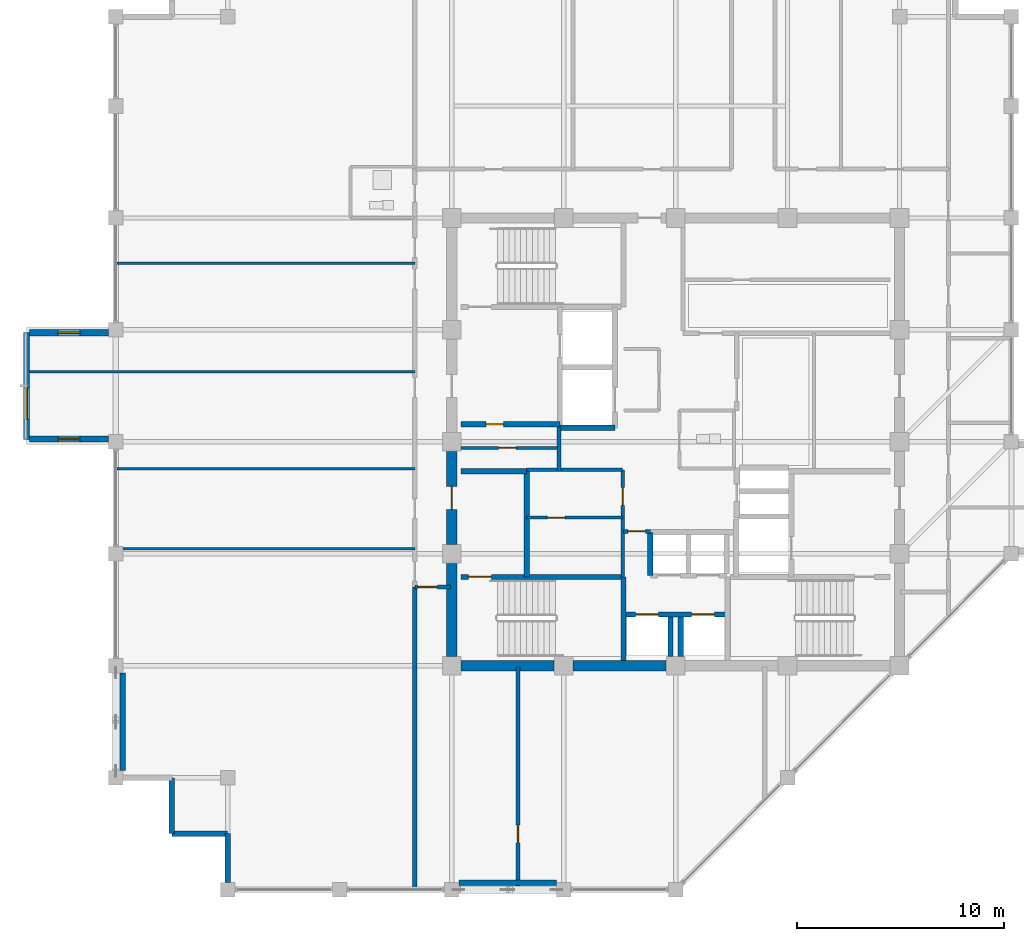
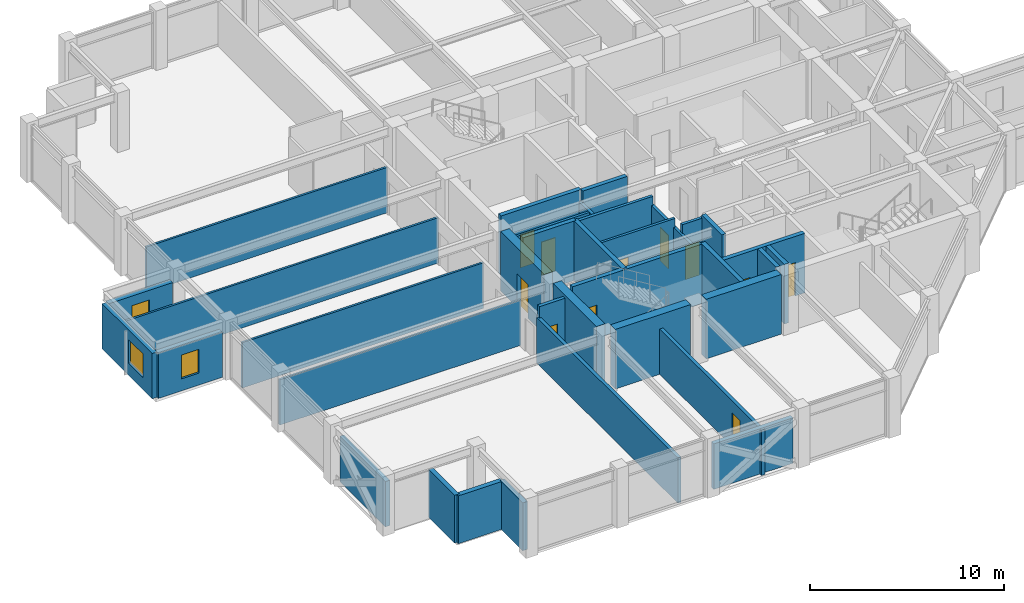
# One storey, part 25 of 31: 35 walls, 11 doors, 3 windows, 14 openings.
"""IFC4 building model written with IfcOpenShell, lengths in metres."""

from ifc_helpers import new_model, si_unit, direction, frame, frame_2d, origin, place, context, subcontext, project, spatial, rectangle, extrude, material, layer, layer_set, type_object, element, fill, save


model = new_model("IFC4")

# Units and contexts
model_context = context("Model", 3, precision=1e-05, world=origin(), true_north=direction((0.0, 1.0)))
body_context = subcontext(model_context, "Body", "Model", "MODEL_VIEW")
ifc_project = project(units=[si_unit("LENGTHUNIT", "METRE"), si_unit("AREAUNIT", "SQUARE_METRE"), si_unit("VOLUMEUNIT", "CUBIC_METRE"), si_unit("PLANEANGLEUNIT", "RADIAN"), si_unit("MASSUNIT", "GRAM", prefix="KILO")], contexts=[model_context])

# Site, building, storey
site_placement = place(None, origin())
site = spatial("IfcSite", under=ifc_project, at=site_placement, CompositionType="ELEMENT")
building_placement = place(site_placement, origin())
building = spatial("IfcBuilding", under=site, at=building_placement, Name="Surkhivell Harbour Commons", CompositionType="ELEMENT")
storey_placement = place(building_placement, frame((0.0, 0.0, 322.5)))
storey = spatial("IfcBuildingStorey", under=building, at=storey_placement, Name="L84", CompositionType="ELEMENT", Elevation=322.5)

# Walls
ifc_material_1 = material(Name="Concrete C50/60", Category="concrete")
ifc_layer_1 = layer(ifc_material_1, 0.5)
ifc_layer_set_1 = layer_set([ifc_layer_1], Name="Concrete C50/60")
wall_type_1 = type_object("IfcWallType", Name="WAL-CORE-500", PredefinedType="SHEAR", material=ifc_layer_set_1)
for number, where, z_axis, x_axis, name in (
    (1, (-10.340087890625, -10.800048828125, 0.0), (0.0, 0.0, 1.0), (1.0, 0.0, 0.0), "L84 Core Shear Wall South 1"),
    (2, (-10.800048828125, -10.340087890625, 0.0), (0.0, 0.0, 1.0), (0.0, 1.0, 0.0), "L84 Core Shear Wall West 1"),
    (3, (-4.93994140625, -10.800048828125, 0.0), (0.0, 0.0, 1.0), (1.0, 0.0, 0.0), "L84 Core Shear Wall South 2"),
):
    element("IfcWall", number, at=place(storey_placement, frame(where, z_axis=z_axis, x_axis=x_axis)), inside=storey, type_object=wall_type_1, Name=name, PredefinedType="SHEAR", context=body_context, shape_type="SweptSolid", body=[
        extrude(rectangle(XDim=4.47998046875, YDim=0.5, at=frame_2d((2.239990234375, 0.0))), origin(), (0.0, 0.0, 1.0), 3.75),
    ])

# Wall, opening, door
wall_1_placement = place(storey_placement, frame((-10.800048828125, -4.93994140625, 0.0), z_axis=(0.0, 0.0, 1.0), x_axis=(0.0, 1.0, 0.0)))
wall_1 = element("IfcWall", 4, at=wall_1_placement, inside=storey, type_object=wall_type_1, Name="L84 Core Shear Wall West 2", PredefinedType="SHEAR", context=body_context, shape_type="SweptSolid", body=[
    extrude(rectangle(XDim=4.47998046875, YDim=0.5, at=frame_2d((2.239990234375, 0.0))), origin(), (0.0, 0.0, 1.0), 3.75),
])
opening_1_placement = place(wall_1_placement, frame((1.68994140625, 0.0, 0.0)))
opening_1 = element("IfcOpeningElement", 5, at=opening_1_placement, cuts=wall_1, Name="Opening ID-2", PredefinedType="OPENING", context=body_context, shape_type="SweptSolid", body=[
    extrude(rectangle(XDim=1.10009765625, YDim=2.10009765625, at=frame_2d((0.550048828125, 1.050048828125))), frame((0.0, 0.260009765625, 0.0), z_axis=(0.0, -1.0, 0.0), x_axis=(1.0, 0.0, 0.0)), (0.0, 0.0, 1.0), 0.52001953125),
])
ifc_material_2 = material(Name="Hardwood-veneered fire-rated door leaf", Category="wood")
door_type_1 = type_object("IfcDoorType", Name="DOR-FD60-1100", OperationType="NOTDEFINED", PredefinedType="DOOR", material=ifc_material_2)
door_1_placement = place(opening_1_placement, origin())
door_1 = element("IfcDoor", 6, at=door_1_placement, inside=storey, type_object=door_type_1, Name="L84 Stair 3 Lobby Corridor Door", OperationType="SINGLE_SWING_LEFT", OverallHeight=2.10009765625, OverallWidth=1.10009765625, PredefinedType="DOOR", context=body_context, shape_type="SweptSolid", body=[
    extrude(rectangle(XDim=1.10009765625, YDim=2.10009765625, at=frame_2d((0.550048828125, 1.050048828125))), frame((0.0, 0.02490234375, 0.0), z_axis=(0.0, -1.0, 0.0), x_axis=(1.0, 0.0, 0.0)), (0.0, 0.0, 1.0), 0.050048828125),
])
fill(opening_1, door_1)

# Wall, opening, window
ifc_material_3 = material(Name="Flemish-bond kiln brick and precast concrete C45/55", Category="masonry")
ifc_layer_2 = layer(ifc_material_3, 0.300048828125)
ifc_layer_set_2 = layer_set([ifc_layer_2], Name="Flemish-bond kiln brick and precast concrete C45/55")
wall_type_2 = type_object("IfcWallType", Name="WAL-EXT-BRK300", PredefinedType="STANDARD", material=ifc_layer_set_2)
wall_2_placement = place(storey_placement, frame((-31.300048828125, 5.280029296875, 0.0), z_axis=(0.0, 0.0, 1.0), x_axis=(0.0, -1.0, 0.0)))
wall_2 = element("IfcWall", 7, at=wall_2_placement, inside=storey, type_object=wall_type_2, Name="L84 Coloured Box Front Wall 02", PredefinedType="STANDARD", context=body_context, shape_type="SweptSolid", body=[
    extrude(rectangle(XDim=5.159912109375, YDim=0.300048828125, at=frame_2d((2.580078125, 0.0))), origin(), (0.0, 0.0, 1.0), 2.85693359375),
])
opening_2_placement = place(wall_2_placement, frame((2.68994140625, 0.0, 0.75)))
opening_2 = element("IfcOpeningElement", 8, at=opening_2_placement, cuts=wall_2, Name="Opening WN-13", PredefinedType="OPENING", context=body_context, shape_type="SweptSolid", body=[
    extrude(rectangle(XDim=1.5, YDim=1.5, at=frame_2d((0.75, 0.75))), frame((0.0, 0.159912109375, 0.0), z_axis=(0.0, -1.0, 0.0), x_axis=(1.0, 0.0, 0.0)), (0.0, 0.0, 1.0), 0.320068359375),
])
ifc_material_4 = material(Name="Thermal-break aluminium frame and double low-E glazing", Category="aluminium")
window_type_1 = type_object("IfcWindowType", Name="WIN-BOX-1500x1500", PartitioningType="SINGLE_PANEL", PredefinedType="WINDOW", material=ifc_material_4)
window_1_placement = place(opening_2_placement, origin())
window_1 = element("IfcWindow", 9, at=window_1_placement, inside=storey, type_object=window_type_1, Name="L84 Coloured Box Square Window 02-1", OverallHeight=1.5, OverallWidth=1.5, PartitioningType="SINGLE_PANEL", PredefinedType="WINDOW", context=body_context, shape_type="SweptSolid", body=[
    extrude(rectangle(XDim=1.5, YDim=1.5, at=frame_2d((0.75, 0.75))), frame((0.0, 0.030029296875, 0.0), z_axis=(0.0, -1.0, 0.0), x_axis=(1.0, 0.0, 0.0)), (0.0, 0.0, 1.0), 0.06005859375),
])
fill(opening_2, window_1)

wall_3_placement = place(storey_placement, frame((-31.159912109375, 0.139892578125, 0.0), z_axis=(0.0, 0.0, 1.0), x_axis=(1.0, 0.0, 0.0)))
wall_3 = element("IfcWall", 10, at=wall_3_placement, inside=storey, type_object=wall_type_2, Name="L84 Coloured Box Return Wall 02S", PredefinedType="STANDARD", context=body_context, shape_type="SweptSolid", body=[
    extrude(rectangle(XDim=3.805908203125, YDim=0.300048828125, at=frame_2d((1.90283203125, 0.0))), origin(), (0.0, 0.0, 1.0), 2.85693359375),
])
opening_3_placement = place(wall_3_placement, frame((1.3779296875, 0.0, 0.75)))
opening_3 = element("IfcOpeningElement", 11, at=opening_3_placement, cuts=wall_3, Name="Opening WN-11", PredefinedType="OPENING", context=body_context, shape_type="SweptSolid", body=[
    extrude(rectangle(XDim=1.050048828125, YDim=1.5, at=frame_2d((0.52490234375, 0.75))), frame((0.0, 0.159912109375, 0.0), z_axis=(0.0, -1.0, 0.0), x_axis=(1.0, 0.0, 0.0)), (0.0, 0.0, 1.0), 0.320068359375),
])
window_type_2 = type_object("IfcWindowType", Name="WIN-SER-1050x1500", PartitioningType="SINGLE_PANEL", PredefinedType="WINDOW", material=ifc_material_4)
window_2_placement = place(opening_3_placement, origin())
window_2 = element("IfcWindow", 12, at=window_2_placement, inside=storey, type_object=window_type_2, Name="L84 Coloured Box Return Window 02S", OverallHeight=1.5, OverallWidth=1.050048828125, PartitioningType="SINGLE_PANEL", PredefinedType="WINDOW", context=body_context, shape_type="SweptSolid", body=[
    extrude(rectangle(XDim=1.050048828125, YDim=1.5, at=frame_2d((0.52490234375, 0.75))), frame((0.0, 0.030029296875, 0.0), z_axis=(0.0, -1.0, 0.0), x_axis=(1.0, 0.0, 0.0)), (0.0, 0.0, 1.0), 0.06005859375),
])
fill(opening_3, window_2)

wall_4_placement = place(storey_placement, frame((-31.159912109375, 5.260009765625, 0.0), z_axis=(0.0, 0.0, 1.0), x_axis=(1.0, 0.0, 0.0)))
wall_4 = element("IfcWall", 13, at=wall_4_placement, inside=storey, type_object=wall_type_2, Name="L84 Coloured Box Return Wall 02N", PredefinedType="STANDARD", context=body_context, shape_type="SweptSolid", body=[
    extrude(rectangle(XDim=3.805908203125, YDim=0.300048828125, at=frame_2d((1.90283203125, 0.0))), origin(), (0.0, 0.0, 1.0), 2.85693359375),
])
opening_4_placement = place(wall_4_placement, frame((1.3779296875, 0.0, 0.75)))
opening_4 = element("IfcOpeningElement", 14, at=opening_4_placement, cuts=wall_4, Name="Opening WN-11", PredefinedType="OPENING", context=body_context, shape_type="SweptSolid", body=[
    extrude(rectangle(XDim=1.050048828125, YDim=1.5, at=frame_2d((0.52490234375, 0.75))), frame((0.0, 0.159912109375, 0.0), z_axis=(0.0, -1.0, 0.0), x_axis=(1.0, 0.0, 0.0)), (0.0, 0.0, 1.0), 0.320068359375),
])
window_3_placement = place(opening_4_placement, origin())
window_3 = element("IfcWindow", 15, at=window_3_placement, inside=storey, type_object=window_type_2, Name="L84 Coloured Box Return Window 02N", OverallHeight=1.5, OverallWidth=1.050048828125, PartitioningType="SINGLE_PANEL", PredefinedType="WINDOW", context=body_context, shape_type="SweptSolid", body=[
    extrude(rectangle(XDim=1.050048828125, YDim=1.5, at=frame_2d((0.52490234375, 0.75))), frame((0.0, 0.030029296875, 0.0), z_axis=(0.0, -1.0, 0.0), x_axis=(1.0, 0.0, 0.0)), (0.0, 0.0, 1.0), 0.06005859375),
])
fill(opening_4, window_3)

# Walls
ifc_material_5 = material(Name="Pale-metal insulated precast concrete C45/55", Category="concrete")
ifc_layer_3 = layer(ifc_material_5, 0.260009765625)
ifc_layer_set_3 = layer_set([ifc_layer_3], Name="Pale-metal insulated precast concrete C45/55")
wall_type_3 = type_object("IfcWallType", Name="WAL-EXT-MTL260", PredefinedType="STANDARD", material=ifc_layer_set_3)
wall_5_placement = place(storey_placement, frame((-10.451904296875, -21.264892578125, 0.0), z_axis=(0.0, 0.0, 1.0), x_axis=(1.0, 0.0, 0.0)))
element("IfcWall", 16, at=wall_5_placement, inside=storey, type_object=wall_type_3, Name="L84 Braced-Bay Insulated Spandrel Backing S", PredefinedType="STANDARD", context=body_context, shape_type="SweptSolid", body=[
    extrude(rectangle(XDim=4.703857421875, YDim=0.260009765625, at=frame_2d((2.35205078125, 0.0))), origin(), (0.0, 0.0, 1.0), 2.85693359375),
])
wall_6_placement = place(storey_placement, frame((-26.6650390625, -15.85205078125, 0.0), z_axis=(0.0, 0.0, 1.0), x_axis=(0.0, 1.0, 0.0)))
element("IfcWall", 17, at=wall_6_placement, inside=storey, type_object=wall_type_3, Name="L84 Braced-Bay Insulated Spandrel Backing W", PredefinedType="STANDARD", context=body_context, shape_type="SweptSolid", body=[
    extrude(rectangle(XDim=4.7041015625, YDim=0.260009765625, at=frame_2d((2.35205078125, 0.0))), origin(), (0.0, 0.0, 1.0), 2.85693359375),
])
ifc_material_6 = material(Name="Terracotta-clad reinforced concrete C45/55", Category="masonry")
ifc_layer_4 = layer(ifc_material_6, 0.280029296875)
ifc_layer_set_4 = layer_set([ifc_layer_4], Name="Terracotta-clad reinforced concrete C45/55")
wall_type_4 = type_object("IfcWallType", Name="WAL-EXT-TER280", PredefinedType="STANDARD", material=ifc_layer_set_4)
for number, where, z_axis, x_axis, name in (
    (18, (-24.300048828125, -16.199951171875, 0.0), (0.0, 0.0, 1.0), (0.0, -1.0, 0.0), "L84 Serrated Corner Facade Wall 14"),
    (19, (-24.300048828125, -18.89990234375, 0.0), (0.0, 0.0, 1.0), (1.0, 0.0, 0.0), "L84 Serrated Corner Facade Wall 15"),
):
    element("IfcWall", number, at=place(storey_placement, frame(where, z_axis=z_axis, x_axis=x_axis)), inside=storey, type_object=wall_type_4, Name=name, PredefinedType="STANDARD", context=body_context, shape_type="SweptSolid", body=[
        extrude(rectangle(XDim=2.699951171875, YDim=0.280029296875, at=frame_2d((1.35009765625, 0.0))), origin(), (0.0, 0.0, 1.0), 3.012939453125),
    ])
wall_7_placement = place(storey_placement, frame((-21.60009765625, -18.89990234375, 0.0), z_axis=(0.0, 0.0, 1.0), x_axis=(0.0, -1.0, 0.0)))
element("IfcWall", 20, at=wall_7_placement, inside=storey, type_object=wall_type_4, Name="L84 Serrated Corner Facade Wall 16", PredefinedType="STANDARD", context=body_context, shape_type="SweptSolid", body=[
    extrude(rectangle(XDim=2.35205078125, YDim=0.280029296875, at=frame_2d((1.176025390625, 0.0))), origin(), (0.0, 0.0, 1.0), 3.012939453125),
])
ifc_material_7 = material(Name="Moisture-resistant acoustic stud partition", Category="other")
ifc_layer_5 = layer(ifc_material_7, 0.125)
ifc_layer_set_5 = layer_set([ifc_layer_5], Name="Moisture-resistant acoustic stud partition")
wall_type_5 = type_object("IfcWallType", Name="WAL-INT-125", PredefinedType="PARTITIONING", material=ifc_layer_set_5)
wall_8_placement = place(storey_placement, frame((-26.93994140625, -1.300048828125, 0.0), z_axis=(0.0, 0.0, 1.0), x_axis=(1.0, 0.0, 0.0)))
element("IfcWall", 21, at=wall_8_placement, inside=storey, type_object=wall_type_5, Name="L84 West Partition BDP1", PredefinedType="PARTITIONING", context=body_context, shape_type="SweptSolid", body=[
    extrude(rectangle(XDim=14.35986328125, YDim=0.125, at=frame_2d((7.179931640625, 0.0))), origin(), (0.0, 0.0, 1.0), 2.85693359375),
])
wall_9_placement = place(storey_placement, frame((-31.239990234375, 3.3798828125, 0.0), z_axis=(0.0, 0.0, 1.0), x_axis=(1.0, 0.0, 0.0)))
element("IfcWall", 22, at=wall_9_placement, inside=storey, type_object=wall_type_5, Name="L84 West Partition BDP2", PredefinedType="PARTITIONING", context=body_context, shape_type="SweptSolid", body=[
    extrude(rectangle(XDim=18.659912109375, YDim=0.125, at=frame_2d((9.330078125, 0.0))), origin(), (0.0, 0.0, 1.0), 2.85693359375),
])
for number, where, z_axis, x_axis, name in (
    (23, (-26.93994140625, -5.14990234375, 0.0), (0.0, 0.0, 1.0), (1.0, 0.0, 0.0), "L84 West Partition PBOT"),
    (24, (-26.93994140625, 8.610107421875, 0.0), (0.0, 0.0, 1.0), (1.0, 0.0, 0.0), "L84 West Partition PTOP"),
):
    element("IfcWall", number, at=place(storey_placement, frame(where, z_axis=z_axis, x_axis=x_axis)), inside=storey, type_object=wall_type_5, Name=name, PredefinedType="PARTITIONING", context=body_context, shape_type="SweptSolid", body=[
        extrude(rectangle(XDim=14.35986328125, YDim=0.125, at=frame_2d((7.179931640625, 0.0))), origin(), (0.0, 0.0, 1.0), 2.85693359375),
    ])

# Wall, opening, door
ifc_material_8 = material(Name="Twin-stud acoustic fireboard partition", Category="other")
ifc_layer_6 = layer(ifc_material_8, 0.14990234375)
ifc_layer_set_6 = layer_set([ifc_layer_6], Name="Twin-stud acoustic fireboard partition")
wall_type_6 = type_object("IfcWallType", Name="WAL-INT-150", PredefinedType="PARTITIONING", material=ifc_layer_set_6)
wall_10_placement = place(storey_placement, frame((-7.179931640625, -3.64990234375, 0.0), z_axis=(0.0, 0.0, 1.0), x_axis=(1.0, 0.0, 0.0)))
wall_10 = element("IfcWall", 25, at=wall_10_placement, inside=storey, type_object=wall_type_6, Name="L84 Core Cut C1 Partition", PredefinedType="PARTITIONING", context=body_context, shape_type="SweptSolid", body=[
    extrude(rectangle(XDim=4.6298828125, YDim=0.14990234375, at=frame_2d((2.31494140625, 0.0))), origin(), (0.0, 0.0, 1.0), 3.570068359375),
])
opening_5_placement = place(wall_10_placement, frame((1.0, 0.0, 0.0)))
opening_5 = element("IfcOpeningElement", 26, at=opening_5_placement, cuts=wall_10, Name="Opening ID-6", PredefinedType="OPENING", context=body_context, shape_type="SweptSolid", body=[
    extrude(rectangle(XDim=0.85009765625, YDim=2.10009765625, at=frame_2d((0.425048828125, 1.050048828125))), frame((0.0, 0.0849609375, 0.0), z_axis=(0.0, -1.0, 0.0), x_axis=(1.0, 0.0, 0.0)), (0.0, 0.0, 1.0), 0.169921875),
])
door_type_2 = type_object("IfcDoorType", Name="DOR-FD30-850", OperationType="NOTDEFINED", PredefinedType="DOOR", material=ifc_material_2)
door_2_placement = place(opening_5_placement, origin())
door_2 = element("IfcDoor", 27, at=door_2_placement, inside=storey, type_object=door_type_2, Name="L84 Cleaner Room Door", OperationType="SINGLE_SWING_LEFT", OverallHeight=2.10009765625, OverallWidth=0.85009765625, PredefinedType="DOOR", context=body_context, shape_type="SweptSolid", body=[
    extrude(rectangle(XDim=0.85009765625, YDim=2.10009765625, at=frame_2d((0.425048828125, 1.050048828125))), frame((0.0, 0.02490234375, 0.0), z_axis=(0.0, -1.0, 0.0), x_axis=(1.0, 0.0, 0.0)), (0.0, 0.0, 1.0), 0.050048828125),
])
fill(opening_5, door_2)

wall_11_placement = place(storey_placement, frame((-10.340087890625, -0.2900390625, 0.0), z_axis=(0.0, 0.0, 1.0), x_axis=(1.0, 0.0, 0.0)))
wall_11 = element("IfcWall", 28, at=wall_11_placement, inside=storey, type_object=wall_type_6, Name="L84 West Core Horizontal Cut", PredefinedType="PARTITIONING", context=body_context, shape_type="SweptSolid", body=[
    extrude(rectangle(XDim=4.719970703125, YDim=0.14990234375, at=frame_2d((2.35986328125, 0.0))), origin(), (0.0, 0.0, 1.0), 3.012939453125),
])
opening_6_placement = place(wall_11_placement, frame((1.800048828125, 0.0, 0.0)))
opening_6 = element("IfcOpeningElement", 29, at=opening_6_placement, cuts=wall_11, Name="Opening ID-6", PredefinedType="OPENING", context=body_context, shape_type="SweptSolid", body=[
    extrude(rectangle(XDim=0.85009765625, YDim=2.10009765625, at=frame_2d((0.425048828125, 1.050048828125))), frame((0.0, 0.0849609375, 0.0), z_axis=(0.0, -1.0, 0.0), x_axis=(1.0, 0.0, 0.0)), (0.0, 0.0, 1.0), 0.169921875),
])
door_3_placement = place(opening_6_placement, origin())
door_3 = element("IfcDoor", 30, at=door_3_placement, inside=storey, type_object=door_type_2, Name="L84 West Music Pod Door", OperationType="SINGLE_SWING_RIGHT", OverallHeight=2.10009765625, OverallWidth=0.85009765625, PredefinedType="DOOR", context=body_context, shape_type="SweptSolid", body=[
    extrude(rectangle(XDim=0.85009765625, YDim=2.10009765625, at=frame_2d((0.425048828125, 1.050048828125))), frame((0.0, 0.02490234375, 0.0), z_axis=(0.0, -1.0, 0.0), x_axis=(1.0, 0.0, 0.0)), (0.0, 0.0, 1.0), 0.050048828125),
])
fill(opening_6, door_3)

ifc_material_9 = material(Name="High-density acoustic blockwork fire partition", Category="masonry")
ifc_layer_7 = layer(ifc_material_9, 0.175048828125)
ifc_layer_set_7 = layer_set([ifc_layer_7], Name="High-density acoustic blockwork fire partition")
wall_type_7 = type_object("IfcWallType", Name="WAL-INT-175", PredefinedType="PARTITIONING", material=ifc_layer_set_7)
wall_12_placement = place(storey_placement, frame((-2.550048828125, -6.510009765625, 0.0), z_axis=(0.0, 0.0, 1.0), x_axis=(0.0, 1.0, 0.0)))
wall_12 = element("IfcWall", 31, at=wall_12_placement, inside=storey, type_object=wall_type_7, Name="L84 Core Service Bay East Wall", PredefinedType="PARTITIONING", context=body_context, shape_type="SweptSolid", body=[
    extrude(rectangle(XDim=5.159912109375, YDim=0.175048828125, at=frame_2d((2.580078125, 0.0))), origin(), (0.0, 0.0, 1.0), 3.012939453125),
])
opening_7_placement = place(wall_12_placement, frame((3.449951171875, 0.0, 0.0)))
opening_7 = element("IfcOpeningElement", 32, at=opening_7_placement, cuts=wall_12, Name="Opening ID-6", PredefinedType="OPENING", context=body_context, shape_type="SweptSolid", body=[
    extrude(rectangle(XDim=0.85009765625, YDim=2.10009765625, at=frame_2d((0.425048828125, 1.050048828125))), frame((0.0, 0.097412109375, 0.0), z_axis=(0.0, -1.0, 0.0), x_axis=(1.0, 0.0, 0.0)), (0.0, 0.0, 1.0), 0.195068359375),
])
door_4_placement = place(opening_7_placement, origin())
door_4 = element("IfcDoor", 33, at=door_4_placement, inside=storey, type_object=door_type_2, Name="L84 Core Seminar Door", OperationType="SINGLE_SWING_LEFT", OverallHeight=2.10009765625, OverallWidth=0.85009765625, PredefinedType="DOOR", context=body_context, shape_type="SweptSolid", body=[
    extrude(rectangle(XDim=0.85009765625, YDim=2.10009765625, at=frame_2d((0.425048828125, 1.050048828125))), frame((0.0, 0.02490234375, 0.0), z_axis=(0.0, -1.0, 0.0), x_axis=(1.0, 0.0, 0.0)), (0.0, 0.0, 1.0), 0.050048828125),
])
fill(opening_7, door_4)

# Walls
wall_13_placement = place(storey_placement, frame((-7.179931640625, -1.35009765625, 0.0), z_axis=(0.0, 0.0, 1.0), x_axis=(1.0, 0.0, 0.0)))
element("IfcWall", 34, at=wall_13_placement, inside=storey, type_object=wall_type_7, Name="L84 Core Service Bay North Wall", PredefinedType="PARTITIONING", context=body_context, shape_type="SweptSolid", body=[
    extrude(rectangle(XDim=4.6298828125, YDim=0.175048828125, at=frame_2d((2.31494140625, 0.0))), origin(), (0.0, 0.0, 1.0), 3.570068359375),
])
wall_14_placement = place(storey_placement, frame((-5.6201171875, -1.419921875, 0.0), z_axis=(0.0, 0.0, 1.0), x_axis=(0.0, 1.0, 0.0)))
element("IfcWall", 35, at=wall_14_placement, inside=storey, type_object=wall_type_7, Name="L84 West Core Bay East Wall", PredefinedType="PARTITIONING", context=body_context, shape_type="SweptSolid", body=[
    extrude(rectangle(XDim=2.139892578125, YDim=0.175048828125, at=frame_2d((1.06982421875, 0.0))), origin(), (0.0, 0.0, 1.0), 3.012939453125),
])

# Wall, opening, door
wall_15_placement = place(storey_placement, frame((-2.52001953125, -4.320068359375, 0.0), z_axis=(0.0, 0.0, 1.0), x_axis=(1.0, 0.0, 0.0)))
wall_15 = element("IfcWall", 36, at=wall_15_placement, inside=storey, type_object=wall_type_7, Name="L84 High-Rise Lobby North Portal Wall", PredefinedType="PARTITIONING", context=body_context, shape_type="SweptSolid", body=[
    extrude(rectangle(XDim=1.300048828125, YDim=0.175048828125, at=frame_2d((0.64990234375, 0.0))), origin(), (0.0, 0.0, 1.0), 3.570068359375),
])
opening_8_placement = place(wall_15_placement, frame((0.219970703125, 0.0, 0.0)))
opening_8 = element("IfcOpeningElement", 37, at=opening_8_placement, cuts=wall_15, Name="Opening ID-6", PredefinedType="OPENING", context=body_context, shape_type="SweptSolid", body=[
    extrude(rectangle(XDim=0.85009765625, YDim=2.10009765625, at=frame_2d((0.425048828125, 1.050048828125))), frame((0.0, 0.097412109375, 0.0), z_axis=(0.0, -1.0, 0.0), x_axis=(1.0, 0.0, 0.0)), (0.0, 0.0, 1.0), 0.195068359375),
])
door_5_placement = place(opening_8_placement, origin())
door_5 = element("IfcDoor", 38, at=door_5_placement, inside=storey, type_object=door_type_2, Name="L84 High-Rise Lift Lobby North Door", OperationType="SINGLE_SWING_LEFT", OverallHeight=2.10009765625, OverallWidth=0.85009765625, PredefinedType="DOOR", context=body_context, shape_type="SweptSolid", body=[
    extrude(rectangle(XDim=0.85009765625, YDim=2.10009765625, at=frame_2d((0.425048828125, 1.050048828125))), frame((0.0, 0.02490234375, 0.0), z_axis=(0.0, -1.0, 0.0), x_axis=(1.0, 0.0, 0.0)), (0.0, 0.0, 1.0), 0.050048828125),
])
fill(opening_8, door_5)

ifc_material_10 = material(Name="Autoclaved aerated concrete blockwork and fire plaster", Category="masonry")
ifc_layer_8 = layer(ifc_material_10, 0.199951171875)
ifc_layer_set_8 = layer_set([ifc_layer_8], Name="Autoclaved aerated concrete blockwork and fire plaster")
wall_type_8 = type_object("IfcWallType", Name="WAL-INT-200", PredefinedType="PARTITIONING", material=ifc_layer_set_8)
wall_16_placement = place(storey_placement, frame((-7.60009765625, -21.5400390625, 0.0), z_axis=(0.0, 0.0, 1.0), x_axis=(0.0, 1.0, 0.0)))
wall_16 = element("IfcWall", 39, at=wall_16_placement, inside=storey, type_object=wall_type_8, Name="L84 South Wing Mid Partition", PredefinedType="PARTITIONING", context=body_context, shape_type="SweptSolid", body=[
    extrude(rectangle(XDim=10.68994140625, YDim=0.199951171875, at=frame_2d((5.344970703125, 0.0))), origin(), (0.0, 0.0, 1.0), 2.85693359375),
])
opening_9_placement = place(wall_16_placement, frame((2.199951171875, 0.0, 0.0)))
opening_9 = element("IfcOpeningElement", 40, at=opening_9_placement, cuts=wall_16, Name="Opening ID-6", PredefinedType="OPENING", context=body_context, shape_type="SweptSolid", body=[
    extrude(rectangle(XDim=0.85009765625, YDim=2.10009765625, at=frame_2d((0.425048828125, 1.050048828125))), frame((0.0, 0.10986328125, 0.0), z_axis=(0.0, -1.0, 0.0), x_axis=(1.0, 0.0, 0.0)), (0.0, 0.0, 1.0), 0.219970703125),
])
door_6_placement = place(opening_9_placement, origin())
door_6 = element("IfcDoor", 41, at=door_6_placement, inside=storey, type_object=door_type_2, Name="L84 South Seminar Door", OperationType="SINGLE_SWING_RIGHT", OverallHeight=2.10009765625, OverallWidth=0.85009765625, PredefinedType="DOOR", context=body_context, shape_type="SweptSolid", body=[
    extrude(rectangle(XDim=0.85009765625, YDim=2.10009765625, at=frame_2d((0.425048828125, 1.050048828125))), frame((0.0, 0.02490234375, 0.0), z_axis=(0.0, -1.0, 0.0), x_axis=(1.0, 0.0, 0.0)), (0.0, 0.0, 1.0), 0.050048828125),
])
fill(opening_9, door_6)

# Wall
wall_17_placement = place(storey_placement, frame((-12.580078125, -21.5400390625, 0.0), z_axis=(0.0, 0.0, 1.0), x_axis=(0.0, 1.0, 0.0)))
element("IfcWall", 42, at=wall_17_placement, inside=storey, type_object=wall_type_8, Name="L84 South Hall West Divider", PredefinedType="PARTITIONING", context=body_context, shape_type="SweptSolid", body=[
    extrude(rectangle(XDim=14.5400390625, YDim=0.199951171875, at=frame_2d((7.27001953125, 0.0))), origin(), (0.0, 0.0, 1.0), 2.85693359375),
])

# Wall, opening, door
wall_18_placement = place(storey_placement, frame((-12.580078125, -7.0, 0.0), z_axis=(0.0, 0.0, 1.0), x_axis=(1.0, 0.0, 0.0)))
wall_18 = element("IfcWall", 43, at=wall_18_placement, inside=storey, type_object=wall_type_8, Name="L84 West Corridor South Portal Wall", PredefinedType="PARTITIONING", context=body_context, shape_type="SweptSolid", body=[
    extrude(rectangle(XDim=1.72998046875, YDim=0.199951171875, at=frame_2d((0.864990234375, 0.0))), origin(), (0.0, 0.0, 1.0), 3.570068359375),
])
opening_10_placement = place(wall_18_placement, frame((0.139892578125, 0.0, 0.0)))
opening_10 = element("IfcOpeningElement", 44, at=opening_10_placement, cuts=wall_18, Name="Opening ID-4", PredefinedType="OPENING", context=body_context, shape_type="SweptSolid", body=[
    extrude(rectangle(XDim=0.949951171875, YDim=2.10009765625, at=frame_2d((0.47509765625, 1.050048828125))), frame((0.0, 0.10986328125, 0.0), z_axis=(0.0, -1.0, 0.0), x_axis=(1.0, 0.0, 0.0)), (0.0, 0.0, 1.0), 0.219970703125),
])
door_type_3 = type_object("IfcDoorType", Name="DOR-FD60-950", OperationType="NOTDEFINED", PredefinedType="DOOR", material=ifc_material_2)
door_7_placement = place(opening_10_placement, origin())
door_7 = element("IfcDoor", 45, at=door_7_placement, inside=storey, type_object=door_type_3, Name="L84 South Lounge Door", OperationType="SINGLE_SWING_RIGHT", OverallHeight=2.10009765625, OverallWidth=0.949951171875, PredefinedType="DOOR", context=body_context, shape_type="SweptSolid", body=[
    extrude(rectangle(XDim=0.949951171875, YDim=2.10009765625, at=frame_2d((0.47509765625, 1.050048828125))), frame((0.0, 0.02490234375, 0.0), z_axis=(0.0, -1.0, 0.0), x_axis=(1.0, 0.0, 0.0)), (0.0, 0.0, 1.0), 0.050048828125),
])
fill(opening_10, door_7)

ifc_layer_9 = layer(ifc_material_1, 0.25)
ifc_layer_set_9 = layer_set([ifc_layer_9], Name="Concrete C50/60")
wall_type_9 = type_object("IfcWallType", Name="WAL-SHAFT-250", PredefinedType="SHEAR", material=ifc_layer_set_9)
wall_19_placement = place(storey_placement, frame((-10.340087890625, 0.85009765625, 0.0), z_axis=(0.0, 0.0, 1.0), x_axis=(1.0, 0.0, 0.0)))
wall_19 = element("IfcWall", 46, at=wall_19_placement, inside=storey, type_object=wall_type_9, Name="L84 Firefighting Lobby 1 South Wall", PredefinedType="SHEAR", context=body_context, shape_type="SweptSolid", body=[
    extrude(rectangle(XDim=4.760009765625, YDim=0.25, at=frame_2d((2.3798828125, 0.0))), origin(), (0.0, 0.0, 1.0), 3.75),
])
opening_11_placement = place(wall_19_placement, frame((1.199951171875, 0.0, 0.0)))
opening_11 = element("IfcOpeningElement", 47, at=opening_11_placement, cuts=wall_19, Name="Opening ID-6", PredefinedType="OPENING", context=body_context, shape_type="SweptSolid", body=[
    extrude(rectangle(XDim=0.85009765625, YDim=2.10009765625, at=frame_2d((0.425048828125, 1.050048828125))), frame((0.0, 0.135009765625, 0.0), z_axis=(0.0, -1.0, 0.0), x_axis=(1.0, 0.0, 0.0)), (0.0, 0.0, 1.0), 0.27001953125),
])
door_8_placement = place(opening_11_placement, origin())
door_8 = element("IfcDoor", 48, at=door_8_placement, inside=storey, type_object=door_type_2, Name="L84 West Reading Alcove Door", OperationType="SINGLE_SWING_LEFT", OverallHeight=2.10009765625, OverallWidth=0.85009765625, PredefinedType="DOOR", context=body_context, shape_type="SweptSolid", body=[
    extrude(rectangle(XDim=0.85009765625, YDim=2.10009765625, at=frame_2d((0.425048828125, 1.050048828125))), frame((0.0, 0.02490234375, 0.0), z_axis=(0.0, -1.0, 0.0), x_axis=(1.0, 0.0, 0.0)), (0.0, 0.0, 1.0), 0.050048828125),
])
fill(opening_11, door_8)

# Walls
for number, where, z_axis, x_axis, name in (
    (49, (-0.25, -10.35009765625, 0.0), (0.0, 0.0, 1.0), (0.0, 1.0, 0.0), "L84 High-Rise Side Wall S"),
    (50, (0.25, -10.35009765625, 0.0), (0.0, 0.0, 1.0), (0.0, 1.0, 0.0), "L84 High-Rise Side Wall S"),
):
    element("IfcWall", number, at=place(storey_placement, frame(where, z_axis=z_axis, x_axis=x_axis)), inside=storey, type_object=wall_type_9, Name=name, PredefinedType="SHEAR", context=body_context, shape_type="SweptSolid", body=[
        extrude(rectangle(XDim=1.91015625, YDim=0.25, at=frame_2d((0.955078125, 0.0))), origin(), (0.0, 0.0, 1.0), 3.75),
    ])
wall_20_placement = place(storey_placement, frame((-1.219970703125, -6.43994140625, 0.0), z_axis=(0.0, 0.0, 1.0), x_axis=(0.0, 1.0, 0.0)))
element("IfcWall", 51, at=wall_20_placement, inside=storey, type_object=wall_type_9, Name="L84 High-Rise Passage East Shaft Wall", PredefinedType="SHEAR", context=body_context, shape_type="SweptSolid", body=[
    extrude(rectangle(XDim=2.079833984375, YDim=0.25, at=frame_2d((1.0400390625, 0.0))), origin(), (0.0, 0.0, 1.0), 3.75),
])

# Wall, openings, doors
wall_21_placement = place(storey_placement, frame((-2.47998046875, -8.320068359375, 0.0), z_axis=(0.0, 0.0, 1.0), x_axis=(1.0, 0.0, 0.0)))
wall_21 = element("IfcWall", 52, at=wall_21_placement, inside=storey, type_object=wall_type_9, Name="L84 High-Rise South Front Shaft Wall", PredefinedType="SHEAR", context=body_context, shape_type="SweptSolid", body=[
    extrude(rectangle(XDim=4.929931640625, YDim=0.25, at=frame_2d((2.46484375, 0.0))), origin(), (0.0, 0.0, 1.0), 3.75),
])
opening_12_placement = place(wall_21_placement, frame((0.550048828125, 0.0, 0.0)))
opening_12 = element("IfcOpeningElement", 53, at=opening_12_placement, cuts=wall_21, Name="Opening LD-1", PredefinedType="OPENING", context=body_context, shape_type="SweptSolid", body=[
    extrude(rectangle(XDim=1.10009765625, YDim=2.10009765625, at=frame_2d((0.550048828125, 1.050048828125))), frame((0.0, 0.135009765625, 0.0), z_axis=(0.0, -1.0, 0.0), x_axis=(1.0, 0.0, 0.0)), (0.0, 0.0, 1.0), 0.27001953125),
])
opening_13_placement = place(wall_21_placement, frame((3.25, 0.0, 0.0)))
opening_13 = element("IfcOpeningElement", 54, at=opening_13_placement, cuts=wall_21, Name="Opening LD-1", PredefinedType="OPENING", context=body_context, shape_type="SweptSolid", body=[
    extrude(rectangle(XDim=1.10009765625, YDim=2.10009765625, at=frame_2d((0.550048828125, 1.050048828125))), frame((0.0, 0.135009765625, 0.0), z_axis=(0.0, -1.0, 0.0), x_axis=(1.0, 0.0, 0.0)), (0.0, 0.0, 1.0), 0.27001953125),
])
ifc_material_11 = material(Name="Brushed stainless steel S355", Category="steel")
door_type_4 = type_object("IfcDoorType", Name="DOR-LD-1100", OperationType="SLIDING_TO_LEFT", PredefinedType="DOOR", material=ifc_material_11)
door_9_placement = place(opening_12_placement, origin())
door_9 = element("IfcDoor", 55, at=door_9_placement, inside=storey, type_object=door_type_4, Name="L84 Lift Landing Door LD-PH3", OperationType="SLIDING_TO_LEFT", OverallHeight=2.10009765625, OverallWidth=1.10009765625, PredefinedType="DOOR", context=body_context, shape_type="SweptSolid", body=[
    extrude(rectangle(XDim=1.10009765625, YDim=2.10009765625, at=frame_2d((0.550048828125, 1.050048828125))), frame((0.0, 0.02490234375, 0.0), z_axis=(0.0, -1.0, 0.0), x_axis=(1.0, 0.0, 0.0)), (0.0, 0.0, 1.0), 0.050048828125),
])
fill(opening_12, door_9)
door_10_placement = place(opening_13_placement, origin())
door_10 = element("IfcDoor", 56, at=door_10_placement, inside=storey, type_object=door_type_4, Name="L84 Lift Landing Door LD-PH4", OperationType="SLIDING_TO_LEFT", OverallHeight=2.10009765625, OverallWidth=1.10009765625, PredefinedType="DOOR", context=body_context, shape_type="SweptSolid", body=[
    extrude(rectangle(XDim=1.10009765625, YDim=2.10009765625, at=frame_2d((0.550048828125, 1.050048828125))), frame((0.0, 0.02490234375, 0.0), z_axis=(0.0, -1.0, 0.0), x_axis=(1.0, 0.0, 0.0)), (0.0, 0.0, 1.0), 0.050048828125),
])
fill(opening_13, door_10)

# Walls
wall_22_placement = place(storey_placement, frame((-2.510009765625, -10.550048828125, 0.0), z_axis=(0.0, 0.0, 1.0), x_axis=(0.0, 1.0, 0.0)))
element("IfcWall", 57, at=wall_22_placement, inside=storey, type_object=wall_type_9, Name="L84 Stair ST3 East Shear Wall", PredefinedType="SHEAR", context=body_context, shape_type="SweptSolid", body=[
    extrude(rectangle(XDim=4.0400390625, YDim=0.25, at=frame_2d((2.02001953125, 0.0))), origin(), (0.0, 0.0, 1.0), 3.75),
])
wall_23_placement = place(storey_placement, frame((-7.179931640625, -6.510009765625, 0.0), z_axis=(0.0, 0.0, 1.0), x_axis=(0.0, 1.0, 0.0)))
element("IfcWall", 58, at=wall_23_placement, inside=storey, type_object=wall_type_9, Name="L84 Stair 3 Lobby East Wall", PredefinedType="SHEAR", context=body_context, shape_type="SweptSolid", body=[
    extrude(rectangle(XDim=5.090087890625, YDim=0.25, at=frame_2d((2.544921875, 0.0))), origin(), (0.0, 0.0, 1.0), 3.75),
])
wall_24_placement = place(storey_placement, frame((-10.340087890625, -1.419921875, 0.0), z_axis=(0.0, 0.0, 1.0), x_axis=(1.0, 0.0, 0.0)))
element("IfcWall", 59, at=wall_24_placement, inside=storey, type_object=wall_type_9, Name="L84 Stair 3 Lobby North Wall", PredefinedType="SHEAR", context=body_context, shape_type="SweptSolid", body=[
    extrude(rectangle(XDim=3.16015625, YDim=0.25, at=frame_2d((1.580078125, 0.0))), origin(), (0.0, 0.0, 1.0), 3.75),
])

# Wall, opening, door
wall_25_placement = place(storey_placement, frame((-10.340087890625, -6.510009765625, 0.0), z_axis=(0.0, 0.0, 1.0), x_axis=(1.0, 0.0, 0.0)))
wall_25 = element("IfcWall", 60, at=wall_25_placement, inside=storey, type_object=wall_type_9, Name="L84 Stair ST3 North Shear Wall", PredefinedType="SHEAR", context=body_context, shape_type="SweptSolid", body=[
    extrude(rectangle(XDim=7.7001953125, YDim=0.25, at=frame_2d((3.85009765625, 0.0))), origin(), (0.0, 0.0, 1.0), 3.75),
])
opening_14_placement = place(wall_25_placement, frame((0.35009765625, 0.0, 0.0)))
opening_14 = element("IfcOpeningElement", 61, at=opening_14_placement, cuts=wall_25, Name="Opening ID-2", PredefinedType="OPENING", context=body_context, shape_type="SweptSolid", body=[
    extrude(rectangle(XDim=1.10009765625, YDim=2.10009765625, at=frame_2d((0.550048828125, 1.050048828125))), frame((0.0, 0.135009765625, 0.0), z_axis=(0.0, -1.0, 0.0), x_axis=(1.0, 0.0, 0.0)), (0.0, 0.0, 1.0), 0.27001953125),
])
door_11_placement = place(opening_14_placement, origin())
door_11 = element("IfcDoor", 62, at=door_11_placement, inside=storey, type_object=door_type_1, Name="L84 Stair ST3 Exit Door", OperationType="SINGLE_SWING_RIGHT", OverallHeight=2.10009765625, OverallWidth=1.10009765625, PredefinedType="DOOR", context=body_context, shape_type="SweptSolid", body=[
    extrude(rectangle(XDim=1.10009765625, YDim=2.10009765625, at=frame_2d((0.550048828125, 1.050048828125))), frame((0.0, 0.02490234375, 0.0), z_axis=(0.0, -1.0, 0.0), x_axis=(1.0, 0.0, 0.0)), (0.0, 0.0, 1.0), 0.050048828125),
])
fill(opening_14, door_11)

# Wall
wall_26_placement = place(storey_placement, frame((-5.580078125, 0.679931640625, 0.0), z_axis=(0.0, 0.0, 1.0), x_axis=(1.0, 0.0, 0.0)))
element("IfcWall", 63, at=wall_26_placement, inside=storey, type_object=wall_type_9, Name="L84 SVL1 South Shaft Wall", PredefinedType="SHEAR", context=body_context, shape_type="SweptSolid", body=[
    extrude(rectangle(XDim=2.650146484375, YDim=0.25, at=frame_2d((1.3251953125, 0.0))), origin(), (0.0, 0.0, 1.0), 3.75),
])

save(model, "model.ifc")
